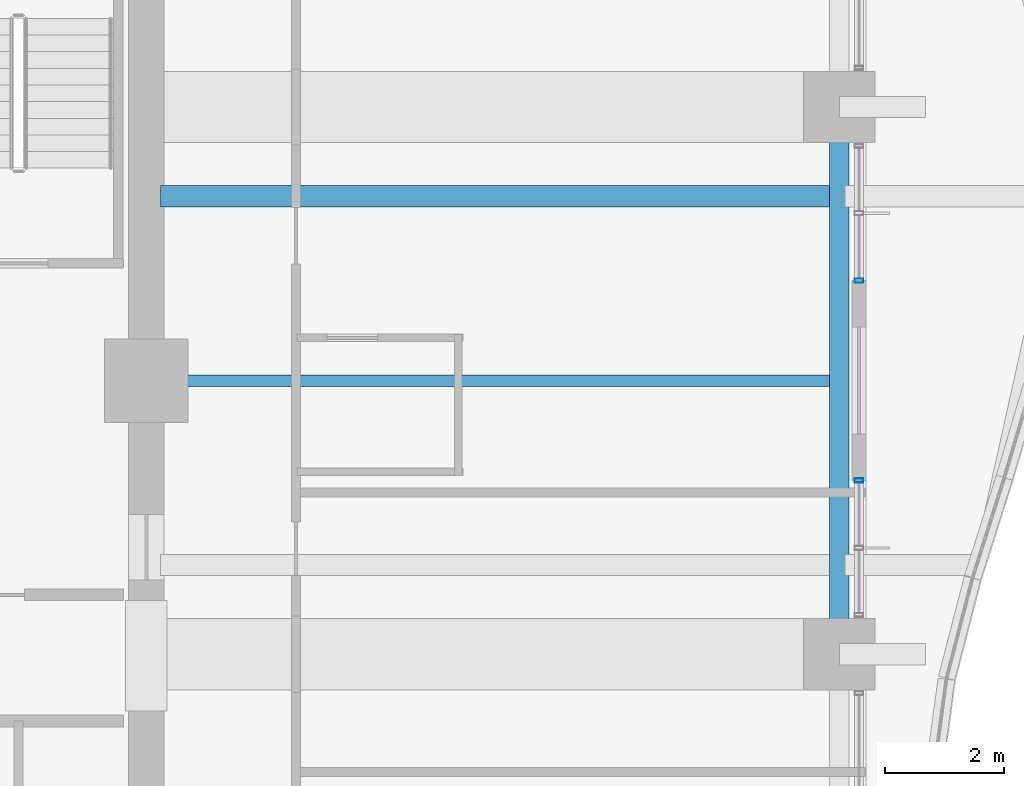
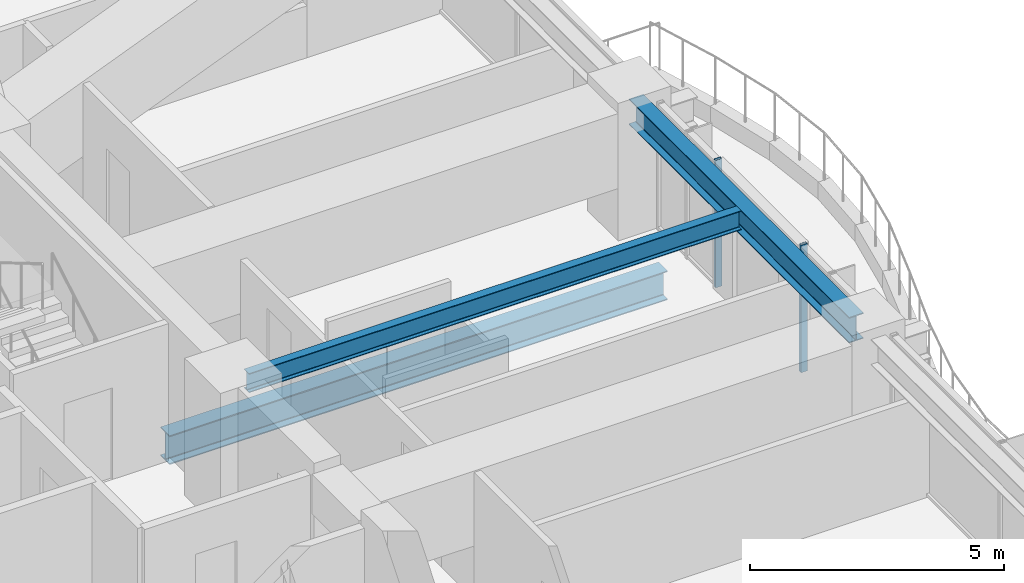
# One storey, part 16 of 39: 3 beams, 2 members, 2 elements without a shape of their own.
"""IFC4 building model written with IfcOpenShell, lengths in metres."""

from ifc_helpers import new_model, si_unit, direction, frame, origin, origin_2d, place, context, subcontext, project, spatial, hollow_rectangle, i_section, extrude, material, material_profile, profile_set, type_object, element, aggregate, save


model = new_model("IFC4")

# Units and contexts
model_context = context("Model", 3, precision=1e-05, world=origin(), true_north=direction((0.0, 1.0)))
body_context = subcontext(model_context, "Body", "Model", "MODEL_VIEW")
ifc_project = project(units=[si_unit("LENGTHUNIT", "METRE"), si_unit("AREAUNIT", "SQUARE_METRE"), si_unit("VOLUMEUNIT", "CUBIC_METRE"), si_unit("PLANEANGLEUNIT", "RADIAN"), si_unit("MASSUNIT", "GRAM", prefix="KILO")], contexts=[model_context])

# Site, building, storey
site_placement = place(None, origin())
site = spatial("IfcSite", under=ifc_project, at=site_placement, CompositionType="ELEMENT")
building_placement = place(site_placement, origin())
building = spatial("IfcBuilding", under=site, at=building_placement, Name="Kolvaren Belvedere", CompositionType="ELEMENT")
storey_placement = place(building_placement, frame((0.0, 0.0, 40.300048828125)))
storey = spatial("IfcBuildingStorey", under=building, at=storey_placement, Name="L11", CompositionType="ELEMENT", Elevation=40.300048828125)

# Beams
ifc_material_1 = material(Name="Structural steel ASTM A992 Grade 50", Category="steel")
ifc_material_profile_1 = material_profile(ifc_material_1, i_section(OverallWidth=0.35498046875, OverallDepth=0.696044921875, WebThickness=0.015380859375, FlangeThickness=0.02490234375, FilletRadius=0.02197265625, at=origin_2d()), Name="W27X146")
ifc_profile_set_1 = profile_set([ifc_material_profile_1], Name="Structural steel ASTM A992 Grade 50")
beam_type_1 = type_object("IfcBeamType", Name="BM-GIRD-W27X146", PredefinedType="BEAM", material=ifc_profile_set_1)
beam_1_placement = place(storey_placement, frame((10.139892578125, 3.10009765625, -0.588134765625), z_axis=(1.0, 0.0, 0.0), x_axis=(0.0, 1.0, 0.0)))
element("IfcBeam", 1, at=beam_1_placement, inside=storey, type_object=beam_type_1, Name="L11 Balcony Interior Back-Span Girder BAL-E-2", PredefinedType="BEAM", context=body_context, shape_type="SweptSolid", body=[
    extrude(i_section(OverallWidth=0.35498046875, OverallDepth=0.696044921875, WebThickness=0.015380859375, FlangeThickness=0.02490234375, FilletRadius=0.02197265625, at=origin_2d()), origin(), (0.0, 0.0, 1.0), 11.315185546875),
])
ifc_material_2 = material(Name="Structural steel ASTM A992 Grade 50", Category="steel")
ifc_material_profile_2 = material_profile(ifc_material_2, i_section(OverallWidth=0.19091796875, OverallDepth=0.4599609375, WebThickness=0.010009765625, FlangeThickness=0.01611328125, FilletRadius=0.014892578125, at=origin_2d()), Name="W18X55")
ifc_profile_set_2 = profile_set([ifc_material_profile_2], Name="Structural steel ASTM A992 Grade 50")
beam_type_2 = type_object("IfcBeamType", Name="BM-JOIST-W18X55", PredefinedType="BEAM", material=ifc_profile_set_2)
beam_2_placement = place(storey_placement, frame((10.199951171875, 0.0, 2.829833984375), z_axis=(1.0, 0.0, 0.0), x_axis=(0.0, 1.0, 0.0)))
element("IfcBeam", 2, at=beam_2_placement, inside=storey, type_object=beam_type_2, Name="L11 East Centre Floor Beam", PredefinedType="BEAM", context=body_context, shape_type="SweptSolid", body=[
    extrude(i_section(OverallWidth=0.19091796875, OverallDepth=0.4599609375, WebThickness=0.010009765625, FlangeThickness=0.01611328125, FilletRadius=0.014892578125, at=origin_2d()), origin(), (0.0, 0.0, 1.0), 11.1875),
])
ifc_material_3 = material(Name="Structural steel ASTM A992 Grade 50", Category="steel")
ifc_material_profile_3 = material_profile(ifc_material_3, i_section(OverallWidth=0.324951171875, OverallDepth=0.615966796875, WebThickness=0.013916015625, FlangeThickness=0.021484375, FilletRadius=0.02001953125, at=origin_2d()), Name="W24X117")
ifc_profile_set_3 = profile_set([ifc_material_profile_3], Name="Structural steel ASTM A992 Grade 50")
beam_type_3 = type_object("IfcBeamType", Name="BM-SPAN-W24X117", PredefinedType="SPANDREL", material=ifc_profile_set_3)
beam_3_placement = place(storey_placement, frame((21.550048828125, -4.330078125, 2.751953125), z_axis=(0.0, 1.0, 0.0), x_axis=(-1.0, 0.0, 0.0)))
element("IfcBeam", 3, at=beam_3_placement, inside=storey, type_object=beam_type_3, Name="L11 Perimeter Spandrel E2-E3", PredefinedType="SPANDREL", context=body_context, shape_type="SweptSolid", body=[
    extrude(i_section(OverallWidth=0.324951171875, OverallDepth=0.615966796875, WebThickness=0.013916015625, FlangeThickness=0.021484375, FilletRadius=0.02001953125, at=origin_2d()), origin(), (0.0, 0.0, 1.0), 8.66015625),
])

# Curtain wall, member
ifc_material_4 = material(Name="Anodised pale-metal aluminium AA 6063-T6", Category="aluminium")
curtain_wall_type = type_object("IfcCurtainWallType", Name="CW-Z1-LOW", PredefinedType="NOTDEFINED", material=ifc_material_4)
curtain_wall_1_placement = place(storey_placement, origin())
curtain_wall_1 = element("IfcCurtainWall", 4, at=curtain_wall_1_placement, inside=storey, type_object=curtain_wall_type, Name="L11 Unitised Curtain Wall FCW-L11-E1-B2", PredefinedType="NOTDEFINED")
ifc_material_5 = material(Name="Anodised pale-metal aluminium AA 6063-T6", Category="aluminium")
ifc_material_profile_4 = material_profile(ifc_material_5, hollow_rectangle(XDim=0.070068359375, YDim=0.14990234375, WallThickness=0.004150390625, at=origin_2d()), Name="ALU-MUL-150X70")
ifc_profile_set_4 = profile_set([ifc_material_profile_4], Name="Anodised pale-metal aluminium AA 6063-T6")
member_type = type_object("IfcMemberType", Name="CW-MUL-150", PredefinedType="MULLION", material=ifc_profile_set_4)
member_1_placement = place(storey_placement, frame((21.8798828125, 1.679931640625, 0.0), z_axis=(0.0, 0.0, 1.0), x_axis=(0.0, 1.0, 0.0)))
member_1 = element("IfcMember", 5, at=member_1_placement, type_object=member_type, Name="FCW-L11-E1-B2 Unitised Mullion 3", PredefinedType="MULLION", context=body_context, shape_type="SweptSolid", body=[
    extrude(hollow_rectangle(XDim=0.070068359375, YDim=0.14990234375, WallThickness=0.004150390625, at=origin_2d()), origin(), (0.0, 0.0, 1.0), 3.06005859375),
])
aggregate(curtain_wall_1, [member_1])

curtain_wall_2_placement = place(storey_placement, origin())
curtain_wall_2 = element("IfcCurtainWall", 6, at=curtain_wall_2_placement, inside=storey, type_object=curtain_wall_type, Name="L11 Unitised Curtain Wall FCW-L11-E2-B1", PredefinedType="NOTDEFINED")
member_2_placement = place(storey_placement, frame((21.8798828125, -1.679931640625, 0.0), z_axis=(0.0, 0.0, 1.0), x_axis=(0.0, 1.0, 0.0)))
member_2 = element("IfcMember", 7, at=member_2_placement, type_object=member_type, Name="FCW-L11-E2-B1 Unitised Mullion 1", PredefinedType="MULLION", context=body_context, shape_type="SweptSolid", body=[
    extrude(hollow_rectangle(XDim=0.070068359375, YDim=0.14990234375, WallThickness=0.004150390625, at=origin_2d()), origin(), (0.0, 0.0, 1.0), 3.06005859375),
])
aggregate(curtain_wall_2, [member_2])

save(model, "model.ifc")
